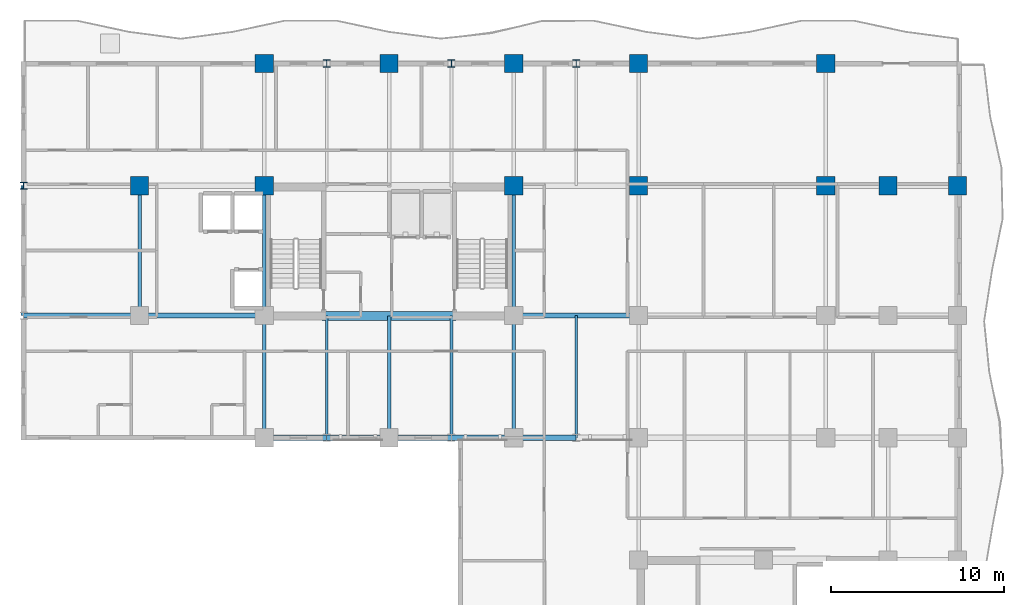
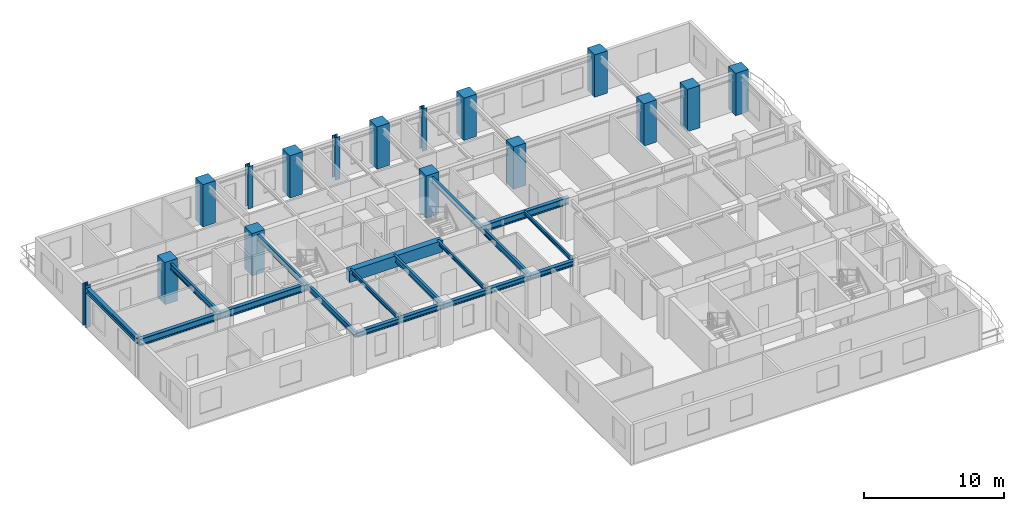
# One storey, part 2 of 14: 19 beams, 16 columns.
"""IFC4 building model written with IfcOpenShell, lengths in metres."""

from ifc_helpers import new_model, si_unit, direction, frame, origin, origin_2d, place, context, subcontext, project, spatial, rectangle, i_section, extrude, source, transform, mapped, material, material_profile, profile_set, type_object, element, save


model = new_model("IFC4")

# Units and contexts
model_context = context("Model", 3, precision=1e-05, world=origin(), true_north=direction((0.0, 1.0)))
body_context = subcontext(model_context, "Body", "Model", "MODEL_VIEW")
ifc_project = project(units=[si_unit("LENGTHUNIT", "METRE"), si_unit("AREAUNIT", "SQUARE_METRE"), si_unit("VOLUMEUNIT", "CUBIC_METRE"), si_unit("PLANEANGLEUNIT", "RADIAN"), si_unit("MASSUNIT", "GRAM", prefix="KILO")], contexts=[model_context])

# Site, building, storey
site_placement = place(None, origin())
site = spatial("IfcSite", under=ifc_project, at=site_placement, CompositionType="ELEMENT")
building_placement = place(site_placement, origin())
building = spatial("IfcBuilding", under=site, at=building_placement, Name="Kaliganga Portal Commons", CompositionType="ELEMENT")
storey_placement = place(building_placement, frame((0.0, 0.0, 151.300048828125)))
storey = spatial("IfcBuildingStorey", under=building, at=storey_placement, Name="L38", CompositionType="ELEMENT", Elevation=151.300048828125)

# Columns
ifc_material_1 = material(Name="Concrete C60/75", Category="concrete")
ifc_material_profile_1 = material_profile(ifc_material_1, rectangle(XDim=1.050048828125, YDim=1.050048828125, at=origin_2d()), Name="RC 1050x1050")
ifc_profile_set_1 = profile_set([ifc_material_profile_1], Name="Concrete C60/75")
column_type_1 = type_object("IfcColumnType", Name="COL-MEGA-Z3", PredefinedType="COLUMN", material=ifc_profile_set_1)
shared_shape_1 = source(origin(), body_context, "Body", "SweptSolid", [
    extrude(rectangle(XDim=1.050048828125, YDim=1.050048828125, at=origin_2d()), origin(), (0.0, 0.0, 1.0), 3.699951171875),
])
for number, where, z_axis, x_axis, name in (
    (1, (7.199951171875, 36.14990234375, 0.0), (0.0, 0.0, 1.0), (1.0, 0.0, 0.0), "Column MC-04 L38"),
    (2, (14.39990234375, 36.14990234375, 0.0), (0.0, 0.0, 1.0), (1.0, 0.0, 0.0), "Column MC-04 L38"),
    (3, (14.39990234375, 43.199951171875, 0.0), (0.0, 0.0, 1.0), (1.0, 0.0, 0.0), "Column MC-04 L38"),
    (4, (21.60009765625, 43.199951171875, 0.0), (0.0, 0.0, 1.0), (1.0, 0.0, 0.0), "Column MC-04 L38"),
    (5, (28.800048828125, 36.14990234375, 0.0), (0.0, 0.0, 1.0), (1.0, 0.0, 0.0), "Column MC-04 L38"),
    (6, (28.800048828125, 43.199951171875, 0.0), (0.0, 0.0, 1.0), (1.0, 0.0, 0.0), "Column MC-04 L38"),
    (7, (36.0, 43.199951171875, 0.0), (0.0, 0.0, 1.0), (1.0, 0.0, 0.0), "Column MC-04 L38"),
    (8, (36.0, 36.14990234375, 0.0), (0.0, 0.0, 1.0), (1.0, 0.0, 0.0), "Column MC-04 L38"),
    (9, (46.800048828125, 36.14990234375, 0.0), (0.0, 0.0, 1.0), (1.0, 0.0, 0.0), "Column MC-04 L38"),
    (10, (46.800048828125, 43.199951171875, 0.0), (0.0, 0.0, 1.0), (1.0, 0.0, 0.0), "Column MC-04 L38"),
    (11, (50.39990234375, 36.14990234375, 0.0), (0.0, 0.0, 1.0), (1.0, 0.0, 0.0), "Column MC-04 L38"),
    (12, (54.39990234375, 36.14990234375, 0.0), (0.0, 0.0, 1.0), (1.0, 0.0, 0.0), "Column MC-04 L38"),
):
    element("IfcColumn", number, at=place(storey_placement, frame(where, z_axis=z_axis, x_axis=x_axis)), inside=storey, type_object=column_type_1, Name=name, PredefinedType="COLUMN", context=body_context, shape_type="MappedRepresentation", body=[
        mapped(shared_shape_1, transform((0.0, 0.0, 0.0), x_axis=(1.0, 0.0, 0.0), y_axis=(0.0, 1.0, 0.0), z_axis=(0.0, 0.0, 1.0), scale=1.0)),
    ])
ifc_material_2 = material(Name="Structural steel S460M", Category="steel")
ifc_material_profile_2 = material_profile(ifc_material_2, i_section(OverallWidth=0.404052734375, OverallDepth=0.4140625, WebThickness=0.0205078125, FlangeThickness=0.028076171875, FilletRadius=0.014892578125, at=origin_2d()), Name="HD 400x347")
ifc_profile_set_2 = profile_set([ifc_material_profile_2], Name="Structural steel S460M wide-flange")
column_type_2 = type_object("IfcColumnType", Name="COL-TUBE-B3", PredefinedType="COLUMN", material=ifc_profile_set_2)
shared_shape_2 = source(origin(), body_context, "Body", "SweptSolid", [
    extrude(i_section(OverallWidth=0.404052734375, OverallDepth=0.4140625, WebThickness=0.0205078125, FlangeThickness=0.028076171875, FilletRadius=0.014892578125, at=origin_2d()), origin(), (0.0, 0.0, 1.0), 3.699951171875),
])
for number, where, z_axis, x_axis, name in (
    (13, (0.5, 36.14990234375, 0.0), (0.0, 0.0, 1.0), (1.0, 0.0, 0.0), "Column TC-03 L38"),
    (14, (18.0, 43.199951171875, 0.0), (0.0, 0.0, 1.0), (1.0, 0.0, 0.0), "Column TC-03 L38"),
    (15, (25.199951171875, 43.199951171875, 0.0), (0.0, 0.0, 1.0), (1.0, 0.0, 0.0), "Column TC-03 L38"),
    (16, (32.39990234375, 43.199951171875, 0.0), (0.0, 0.0, 1.0), (1.0, 0.0, 0.0), "Column TC-03 L38"),
):
    element("IfcColumn", number, at=place(storey_placement, frame(where, z_axis=z_axis, x_axis=x_axis)), inside=storey, type_object=column_type_2, Name=name, PredefinedType="COLUMN", context=body_context, shape_type="MappedRepresentation", body=[
        mapped(shared_shape_2, transform((0.0, 0.0, 0.0), x_axis=(1.0, 0.0, 0.0), y_axis=(0.0, 1.0, 0.0), z_axis=(0.0, 0.0, 1.0), scale=1.0)),
    ])

# Beams
ifc_material_3 = material(Name="Concrete C50/60", Category="concrete")
ifc_material_profile_3 = material_profile(ifc_material_3, rectangle(XDim=0.5, YDim=1.0, at=origin_2d()), Name="RC 500x1000")
ifc_profile_set_3 = profile_set([ifc_material_profile_3], Name="Concrete C50/60")
beam_type_1 = type_object("IfcBeamType", Name="BM-CPL-1000", PredefinedType="LINTEL", material=ifc_profile_set_3)
shared_shape_3 = source(origin(), body_context, "Body", "SweptSolid", [
    extrude(rectangle(XDim=0.5, YDim=1.0, at=origin_2d()), origin(), (0.0, 0.0, 1.0), 7.739990234375),
])
beam_1_placement = place(storey_placement, frame((17.72998046875, 28.625, 2.9599609375), z_axis=(1.0, 0.0, 0.0), x_axis=(0.0, 1.0, 0.0)))
element("IfcBeam", 17, at=beam_1_placement, inside=storey, type_object=beam_type_1, Name="BM CPL COREA L38 S", PredefinedType="LINTEL", context=body_context, shape_type="MappedRepresentation", body=[
    mapped(shared_shape_3, transform((0.0, 0.0, 0.0), x_axis=(1.0, 0.0, 0.0), y_axis=(0.0, 1.0, 0.0), z_axis=(0.0, 0.0, 1.0), scale=1.0)),
])
ifc_material_4 = material(Name="Structural steel S355J2", Category="steel")
ifc_material_profile_4 = material_profile(ifc_material_4, i_section(OverallWidth=0.199951171875, OverallDepth=0.5, WebThickness=0.01025390625, FlangeThickness=0.01611328125, FilletRadius=0.02099609375, at=origin_2d()), Name="IPE 500")
ifc_profile_set_4 = profile_set([ifc_material_profile_4], Name="Structural steel S355J2 wide-flange")
beam_type_2 = type_object("IfcBeamType", Name="BM-FLR-500", PredefinedType="BEAM", material=ifc_profile_set_4)
shared_shape_4 = source(origin(), body_context, "Body", "SweptSolid", [
    extrude(i_section(OverallWidth=0.199951171875, OverallDepth=0.5, WebThickness=0.01025390625, FlangeThickness=0.01611328125, FilletRadius=0.02099609375, at=origin_2d()), origin(), (0.0, 0.0, 1.0), 7.5),
])
for number, where, z_axis, x_axis, name in (
    (18, (7.199951171875, 28.64990234375, 3.2099609375), (0.0, 1.0, 0.0), (-1.0, 0.0, 0.0), "BM G L38 AW72"),
    (19, (14.39990234375, 28.64990234375, 3.2099609375), (0.0, 1.0, 0.0), (-1.0, 0.0, 0.0), "BM G L38 AM144"),
    (20, (28.800048828125, 28.64990234375, 3.2099609375), (0.0, 1.0, 0.0), (-1.0, 0.0, 0.0), "BM G L38 AM288"),
):
    element("IfcBeam", number, at=place(storey_placement, frame(where, z_axis=z_axis, x_axis=x_axis)), inside=storey, type_object=beam_type_2, Name=name, PredefinedType="BEAM", context=body_context, shape_type="MappedRepresentation", body=[
        mapped(shared_shape_4, transform((0.0, 0.0, 0.0), x_axis=(1.0, 0.0, 0.0), y_axis=(0.0, 1.0, 0.0), z_axis=(0.0, 0.0, 1.0), scale=1.0)),
    ])
shared_shape_5 = source(origin(), body_context, "Body", "SweptSolid", [
    extrude(i_section(OverallWidth=0.199951171875, OverallDepth=0.5, WebThickness=0.01025390625, FlangeThickness=0.01611328125, FilletRadius=0.02099609375, at=origin_2d()), origin(), (0.0, 0.0, 1.0), 7.0498046875),
])
for number, where, z_axis, x_axis, name in (
    (21, (14.39990234375, 21.60009765625, 3.2099609375), (0.0, 1.0, 0.0), (-1.0, 0.0, 0.0), "BM G L38 AS144"),
    (22, (28.800048828125, 21.60009765625, 3.2099609375), (0.0, 1.0, 0.0), (-1.0, 0.0, 0.0), "BM G L38 AS288"),
):
    element("IfcBeam", number, at=place(storey_placement, frame(where, z_axis=z_axis, x_axis=x_axis)), inside=storey, type_object=beam_type_2, Name=name, PredefinedType="BEAM", context=body_context, shape_type="MappedRepresentation", body=[
        mapped(shared_shape_5, transform((0.0, 0.0, 0.0), x_axis=(1.0, 0.0, 0.0), y_axis=(0.0, 1.0, 0.0), z_axis=(0.0, 0.0, 1.0), scale=1.0)),
    ])
ifc_material_profile_5 = material_profile(ifc_material_4, i_section(OverallWidth=0.300048828125, OverallDepth=0.449951171875, WebThickness=0.013916015625, FlangeThickness=0.02587890625, FilletRadius=0.027099609375, at=origin_2d()), Name="HE 450 B")
ifc_profile_set_5 = profile_set([ifc_material_profile_5], Name="Structural steel S355J2 wide-flange")
beam_type_3 = type_object("IfcBeamType", Name="BM-SPAND-450", PredefinedType="SPANDREL", material=ifc_profile_set_5)
shared_shape_6 = source(origin(), body_context, "Body", "SweptSolid", [
    extrude(i_section(OverallWidth=0.300048828125, OverallDepth=0.449951171875, WebThickness=0.013916015625, FlangeThickness=0.02587890625, FilletRadius=0.027099609375, at=origin_2d()), origin(), (0.0, 0.0, 1.0), 3.60009765625),
])
for number, where, z_axis, x_axis, name in (
    (23, (14.39990234375, 21.60009765625, 3.23486328125), (1.0, 0.0, 0.0), (0.0, 1.0, 0.0), "BM SP L38 AS 1"),
    (24, (18.0, 21.60009765625, 3.23486328125), (1.0, 0.0, 0.0), (0.0, 1.0, 0.0), "BM SP L38 AS 2"),
    (25, (25.199951171875, 21.60009765625, 3.23486328125), (1.0, 0.0, 0.0), (0.0, 1.0, 0.0), "BM SP L38 AS 4"),
):
    element("IfcBeam", number, at=place(storey_placement, frame(where, z_axis=z_axis, x_axis=x_axis)), inside=storey, type_object=beam_type_3, Name=name, PredefinedType="SPANDREL", context=body_context, shape_type="MappedRepresentation", body=[
        mapped(shared_shape_6, transform((0.0, 0.0, 0.0), x_axis=(1.0, 0.0, 0.0), y_axis=(0.0, 1.0, 0.0), z_axis=(0.0, 0.0, 1.0), scale=1.0)),
    ])
shared_shape_7 = source(origin(), body_context, "Body", "SweptSolid", [
    extrude(i_section(OverallWidth=0.300048828125, OverallDepth=0.449951171875, WebThickness=0.013916015625, FlangeThickness=0.02587890625, FilletRadius=0.027099609375, at=origin_2d()), origin(), (0.0, 0.0, 1.0), 3.599853515625),
])
for number, where, z_axis, x_axis, name in (
    (26, (21.60009765625, 21.60009765625, 3.23486328125), (1.0, 0.0, 0.0), (0.0, 1.0, 0.0), "BM SP L38 AS 3"),
    (27, (28.800048828125, 21.60009765625, 3.23486328125), (1.0, 0.0, 0.0), (0.0, 1.0, 0.0), "BM SP L38 AS 5"),
):
    element("IfcBeam", number, at=place(storey_placement, frame(where, z_axis=z_axis, x_axis=x_axis)), inside=storey, type_object=beam_type_3, Name=name, PredefinedType="SPANDREL", context=body_context, shape_type="MappedRepresentation", body=[
        mapped(shared_shape_7, transform((0.0, 0.0, 0.0), x_axis=(1.0, 0.0, 0.0), y_axis=(0.0, 1.0, 0.0), z_axis=(0.0, 0.0, 1.0), scale=1.0)),
    ])
ifc_material_profile_6 = material_profile(ifc_material_4, i_section(OverallWidth=0.159912109375, OverallDepth=0.330078125, WebThickness=0.007568359375, FlangeThickness=0.011474609375, FilletRadius=0.01806640625, at=origin_2d()), Name="IPE 330")
ifc_profile_set_6 = profile_set([ifc_material_profile_6], Name="Structural steel S355J2 wide-flange")
beam_type_4 = type_object("IfcBeamType", Name="BM-JST-330", PredefinedType="JOIST", material=ifc_profile_set_6)
shared_shape_8 = source(origin(), body_context, "Body", "SweptSolid", [
    extrude(i_section(OverallWidth=0.159912109375, OverallDepth=0.330078125, WebThickness=0.007568359375, FlangeThickness=0.011474609375, FilletRadius=0.01806640625, at=origin_2d()), origin(), (0.0, 0.0, 1.0), 7.0498046875),
])
beam_2_placement = place(storey_placement, frame((32.39990234375, 21.60009765625, 3.294921875), z_axis=(0.0, 1.0, 0.0), x_axis=(-1.0, 0.0, 0.0)))
element("IfcBeam", 28, at=beam_2_placement, inside=storey, type_object=beam_type_4, Name="BM G L38 AS324", PredefinedType="JOIST", context=body_context, shape_type="MappedRepresentation", body=[
    mapped(shared_shape_8, transform((0.0, 0.0, 0.0), x_axis=(1.0, 0.0, 0.0), y_axis=(0.0, 1.0, 0.0), z_axis=(0.0, 0.0, 1.0), scale=1.0)),
])
shared_shape_9 = source(origin(), body_context, "Body", "SweptSolid", [
    extrude(i_section(OverallWidth=0.300048828125, OverallDepth=0.449951171875, WebThickness=0.013916015625, FlangeThickness=0.02587890625, FilletRadius=0.027099609375, at=origin_2d()), origin(), (0.0, 0.0, 1.0), 7.5),
])
beam_3_placement = place(storey_placement, frame((0.5, 28.64990234375, 3.23486328125), z_axis=(0.0, 1.0, 0.0), x_axis=(-1.0, 0.0, 0.0)))
element("IfcBeam", 29, at=beam_3_placement, inside=storey, type_object=beam_type_3, Name="BM SP L38 AW", PredefinedType="SPANDREL", context=body_context, shape_type="MappedRepresentation", body=[
    mapped(shared_shape_9, transform((0.0, 0.0, 0.0), x_axis=(1.0, 0.0, 0.0), y_axis=(0.0, 1.0, 0.0), z_axis=(0.0, 0.0, 1.0), scale=1.0)),
])
ifc_material_profile_7 = material_profile(ifc_material_4, i_section(OverallWidth=0.300048828125, OverallDepth=0.60009765625, WebThickness=0.015380859375, FlangeThickness=0.030029296875, FilletRadius=0.027099609375, at=origin_2d()), Name="HE 600 B")
ifc_profile_set_7 = profile_set([ifc_material_profile_7], Name="Structural steel S355J2 wide-flange")
beam_type_5 = type_object("IfcBeamType", Name="BM-GIRD-600", PredefinedType="USERDEFINED", material=ifc_profile_set_7)
shared_shape_10 = source(origin(), body_context, "Body", "SweptSolid", [
    extrude(i_section(OverallWidth=0.300048828125, OverallDepth=0.60009765625, WebThickness=0.015380859375, FlangeThickness=0.030029296875, FilletRadius=0.027099609375, at=origin_2d()), origin(), (0.0, 0.0, 1.0), 6.699951171875),
])
beam_4_placement = place(storey_placement, frame((0.5, 28.64990234375, 3.159912109375), z_axis=(1.0, 0.0, 0.0), x_axis=(0.0, 1.0, 0.0)))
element("IfcBeam", 30, at=beam_4_placement, inside=storey, type_object=beam_type_5, Name="BM G L38 WAH_S 1", ObjectType="GIRDER", PredefinedType="USERDEFINED", context=body_context, shape_type="MappedRepresentation", body=[
    mapped(shared_shape_10, transform((0.0, 0.0, 0.0), x_axis=(1.0, 0.0, 0.0), y_axis=(0.0, 1.0, 0.0), z_axis=(0.0, 0.0, 1.0), scale=1.0)),
])
shared_shape_11 = source(origin(), body_context, "Body", "SweptSolid", [
    extrude(i_section(OverallWidth=0.300048828125, OverallDepth=0.60009765625, WebThickness=0.015380859375, FlangeThickness=0.030029296875, FilletRadius=0.027099609375, at=origin_2d()), origin(), (0.0, 0.0, 1.0), 7.199951171875),
])
for number, where, z_axis, x_axis, name in (
    (31, (7.199951171875, 28.64990234375, 3.159912109375), (1.0, 0.0, 0.0), (0.0, 1.0, 0.0), "BM G L38 WAH_S 2"),
    (32, (28.800048828125, 28.64990234375, 3.159912109375), (1.0, 0.0, 0.0), (0.0, 1.0, 0.0), "BM G L38 WAE_S 1"),
):
    element("IfcBeam", number, at=place(storey_placement, frame(where, z_axis=z_axis, x_axis=x_axis)), inside=storey, type_object=beam_type_5, Name=name, ObjectType="GIRDER", PredefinedType="USERDEFINED", context=body_context, shape_type="MappedRepresentation", body=[
        mapped(shared_shape_11, transform((0.0, 0.0, 0.0), x_axis=(1.0, 0.0, 0.0), y_axis=(0.0, 1.0, 0.0), z_axis=(0.0, 0.0, 1.0), scale=1.0)),
    ])
shared_shape_12 = source(origin(), body_context, "Body", "SweptSolid", [
    extrude(i_section(OverallWidth=0.159912109375, OverallDepth=0.330078125, WebThickness=0.007568359375, FlangeThickness=0.011474609375, FilletRadius=0.01806640625, at=origin_2d()), origin(), (0.0, 0.0, 1.0), 7.02490234375),
])
for number, where, z_axis, x_axis, name in (
    (33, (18.0, 21.60009765625, 3.294921875), (0.0, 1.0, 0.0), (-1.0, 0.0, 0.0), "BM G L38 AS180"),
    (34, (25.199951171875, 21.60009765625, 3.294921875), (0.0, 1.0, 0.0), (-1.0, 0.0, 0.0), "BM G L38 AS252"),
):
    element("IfcBeam", number, at=place(storey_placement, frame(where, z_axis=z_axis, x_axis=x_axis)), inside=storey, type_object=beam_type_4, Name=name, PredefinedType="JOIST", context=body_context, shape_type="MappedRepresentation", body=[
        mapped(shared_shape_12, transform((0.0, 0.0, 0.0), x_axis=(1.0, 0.0, 0.0), y_axis=(0.0, 1.0, 0.0), z_axis=(0.0, 0.0, 1.0), scale=1.0)),
    ])
shared_shape_13 = source(origin(), body_context, "Body", "SweptSolid", [
    extrude(i_section(OverallWidth=0.199951171875, OverallDepth=0.5, WebThickness=0.01025390625, FlangeThickness=0.01611328125, FilletRadius=0.02099609375, at=origin_2d()), origin(), (0.0, 0.0, 1.0), 7.02490234375),
])
beam_5_placement = place(storey_placement, frame((21.60009765625, 21.60009765625, 3.2099609375), z_axis=(0.0, 1.0, 0.0), x_axis=(-1.0, 0.0, 0.0)))
element("IfcBeam", 35, at=beam_5_placement, inside=storey, type_object=beam_type_2, Name="BM G L38 AS216", PredefinedType="BEAM", context=body_context, shape_type="MappedRepresentation", body=[
    mapped(shared_shape_13, transform((0.0, 0.0, 0.0), x_axis=(1.0, 0.0, 0.0), y_axis=(0.0, 1.0, 0.0), z_axis=(0.0, 0.0, 1.0), scale=1.0)),
])

save(model, "model.ifc")
